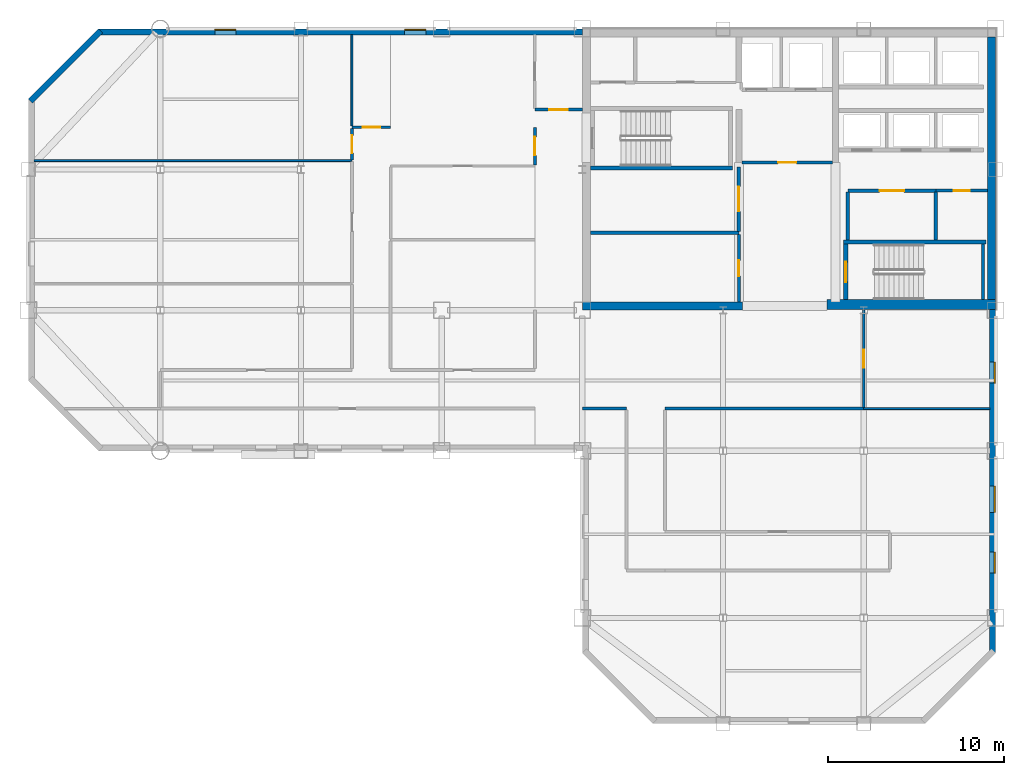
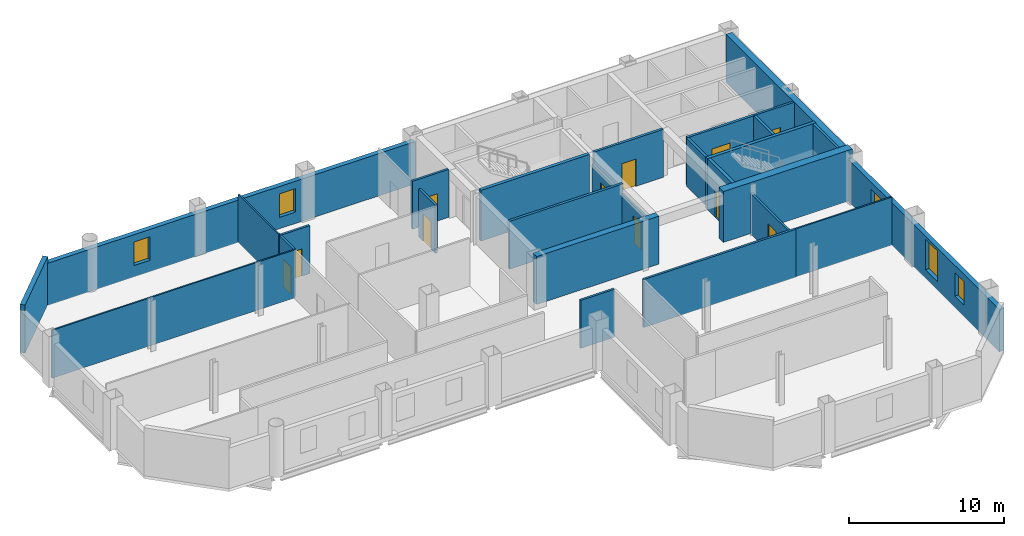
# One storey, part 5 of 10: 28 walls, 11 doors, 5 windows, 16 openings.
"""IFC4 building model written with IfcOpenShell, lengths in metres."""

from ifc_helpers import new_model, si_unit, direction, frame, frame_2d, origin, place, context, subcontext, project, spatial, rectangle, extrude, material, layer, layer_set, type_object, element, fill, save


model = new_model("IFC4")

# Units and contexts
model_context = context("Model", 3, precision=1e-05, world=origin(), true_north=direction((0.0, 1.0)))
body_context = subcontext(model_context, "Body", "Model", "MODEL_VIEW")
ifc_project = project(units=[si_unit("LENGTHUNIT", "METRE"), si_unit("AREAUNIT", "SQUARE_METRE"), si_unit("VOLUMEUNIT", "CUBIC_METRE"), si_unit("PLANEANGLEUNIT", "RADIAN"), si_unit("MASSUNIT", "GRAM", prefix="KILO")], contexts=[model_context])

# Site, building, storey
site_placement = place(None, origin())
site = spatial("IfcSite", under=ifc_project, at=site_placement, CompositionType="ELEMENT")
building_placement = place(site_placement, origin())
building = spatial("IfcBuilding", under=site, at=building_placement, Name="Qianrong Seaharbour Tower", CompositionType="ELEMENT")
storey_placement = place(building_placement, frame((0.0, 0.0, 261.800048828125)))
storey = spatial("IfcBuildingStorey", under=building, at=storey_placement, Name="L63", CompositionType="ELEMENT", Elevation=261.800048828125)

# Walls
ifc_material_1 = material(Name="Concrete C60/75", Category="concrete")
ifc_layer_1 = layer(ifc_material_1, 0.4599609375)
ifc_layer_set_1 = layer_set([ifc_layer_1], Name="Concrete C60/75")
wall_type_1 = type_object("IfcWallType", Name="WALL-CORE-460", PredefinedType="SHEAR", material=ifc_layer_set_1)
wall_1_placement = place(storey_placement, frame((63.77001953125, 36.320068359375, 0.0), z_axis=(0.0, 0.0, 1.0), x_axis=(0.0, 1.0, 0.0)))
element("IfcWall", 1, at=wall_1_placement, inside=storey, type_object=wall_type_1, Name="L63 East Core Shear Wall", PredefinedType="SHEAR", context=body_context, shape_type="SweptSolid", body=[
    extrude(rectangle(XDim=15.219970703125, YDim=0.4599609375, at=frame_2d((7.60986328125, 0.0))), origin(), (0.0, 0.0, 1.0), 3.77490234375),
])
wall_2_placement = place(storey_placement, frame((40.5, 36.22998046875, 0.0), z_axis=(0.0, 0.0, 1.0), x_axis=(1.0, 0.0, 0.0)))
element("IfcWall", 2, at=wall_2_placement, inside=storey, type_object=wall_type_1, Name="L63 South Core Shear Wall S1", PredefinedType="SHEAR", context=body_context, shape_type="SweptSolid", body=[
    extrude(rectangle(XDim=9.10009765625, YDim=0.4599609375, at=frame_2d((4.550048828125, 0.0))), origin(), (0.0, 0.0, 1.0), 3.77490234375),
])
ifc_material_2 = material(Name="Concrete C70/85", Category="concrete")
ifc_layer_2 = layer(ifc_material_2, 0.580078125)
ifc_layer_set_2 = layer_set([ifc_layer_2], Name="Concrete C70/85")
wall_type_2 = type_object("IfcWallType", Name="WALL-CORE-580", PredefinedType="SHEAR", material=ifc_layer_set_2)
wall_3_placement = place(storey_placement, frame((54.39990234375, 36.320068359375, 0.0), z_axis=(0.0, 0.0, 1.0), x_axis=(1.0, 0.0, 0.0)))
element("IfcWall", 3, at=wall_3_placement, inside=storey, type_object=wall_type_2, Name="L63 South Core Shear Wall S3", PredefinedType="SHEAR", context=body_context, shape_type="SweptSolid", body=[
    extrude(rectangle(XDim=9.60009765625, YDim=0.580078125, at=frame_2d((4.800048828125, 0.0))), origin(), (0.0, 0.0, 1.0), 4.0),
])

# Wall, opening, door
ifc_material_3 = material(Name="Fire-rated acoustic gypsum board partition")
ifc_layer_3 = layer(ifc_material_3, 0.1650390625)
ifc_layer_set_3 = layer_set([ifc_layer_3], Name="Fire-rated acoustic gypsum board partition")
wall_type_3 = type_object("IfcWallType", Name="WALL-CORR-PART-165", PredefinedType="PARTITIONING", material=ifc_layer_set_3)
wall_4_placement = place(storey_placement, frame((37.800048828125, 47.39990234375, 0.0), z_axis=(0.0, 0.0, 1.0), x_axis=(1.0, 0.0, 0.0)))
wall_4 = element("IfcWall", 4, at=wall_4_placement, inside=storey, type_object=wall_type_3, Name="L63 Interior Partition Wall 001", PredefinedType="PARTITIONING", context=body_context, shape_type="SweptSolid", body=[
    extrude(rectangle(XDim=2.699951171875, YDim=0.1650390625, at=frame_2d((1.35009765625, 0.0))), origin(), (0.0, 0.0, 1.0), 3.77490234375),
])
opening_1_placement = place(wall_4_placement, frame((0.824951171875, 0.0, 0.0)))
opening_1 = element("IfcOpeningElement", 5, at=opening_1_placement, cuts=wall_4, Name="Opening DC-01", PredefinedType="OPENING", context=body_context, shape_type="SweptSolid", body=[
    extrude(rectangle(XDim=1.050048828125, YDim=2.14990234375, at=frame_2d((0.52490234375, 1.074951171875))), frame((0.0, 0.092529296875, 0.0), z_axis=(0.0, -1.0, 0.0), x_axis=(1.0, 0.0, 0.0)), (0.0, 0.0, 1.0), 0.18505859375),
])
ifc_material_4 = material(Name="Acoustic timber and galvanized steel fire door assembly", Category="steel")
door_type_1 = type_object("IfcDoorType", Name="DOOR-CORR-FD60-1050x2150", OperationType="NOTDEFINED", PredefinedType="DOOR", material=ifc_material_4)
door_1_placement = place(opening_1_placement, origin())
door_1 = element("IfcDoor", 6, at=door_1_placement, inside=storey, type_object=door_type_1, Name="L63 Smokeproof Stair Vestibule ST-1 Door", OperationType="SINGLE_SWING_LEFT", OverallHeight=2.14990234375, OverallWidth=1.050048828125, PredefinedType="DOOR", context=body_context, shape_type="SweptSolid", body=[
    extrude(rectangle(XDim=1.050048828125, YDim=2.14990234375, at=frame_2d((0.52490234375, 1.074951171875))), frame((0.0, 0.02490234375, 0.0), z_axis=(0.0, -1.0, 0.0), x_axis=(1.0, 0.0, 0.0)), (0.0, 0.0, 1.0), 0.050048828125),
])
fill(opening_1, door_1)

wall_5_placement = place(storey_placement, frame((37.800048828125, 44.257080078125, 0.0), z_axis=(0.0, 0.0, 1.0), x_axis=(0.0, 1.0, 0.0)))
wall_5 = element("IfcWall", 7, at=wall_5_placement, inside=storey, type_object=wall_type_3, Name="L63 Interior Partition Wall 002", PredefinedType="PARTITIONING", context=body_context, shape_type="SweptSolid", body=[
    extrude(rectangle(XDim=2.142822265625, YDim=0.1650390625, at=frame_2d((1.0712890625, 0.0))), origin(), (0.0, 0.0, 1.0), 3.77490234375),
])
opening_2_placement = place(wall_5_placement, frame((0.54638671875, 0.0, 0.0)))
opening_2 = element("IfcOpeningElement", 8, at=opening_2_placement, cuts=wall_5, Name="Opening DC-01", PredefinedType="OPENING", context=body_context, shape_type="SweptSolid", body=[
    extrude(rectangle(XDim=1.050048828125, YDim=2.14990234375, at=frame_2d((0.52490234375, 1.074951171875))), frame((0.0, 0.092529296875, 0.0), z_axis=(0.0, -1.0, 0.0), x_axis=(1.0, 0.0, 0.0)), (0.0, 0.0, 1.0), 0.18505859375),
])
door_2_placement = place(opening_2_placement, origin())
door_2 = element("IfcDoor", 9, at=door_2_placement, inside=storey, type_object=door_type_1, Name="L63 Smokeproof Stair Vestibule ST-1 Door", OperationType="SINGLE_SWING_RIGHT", OverallHeight=2.14990234375, OverallWidth=1.050048828125, PredefinedType="DOOR", context=body_context, shape_type="SweptSolid", body=[
    extrude(rectangle(XDim=1.050048828125, YDim=2.14990234375, at=frame_2d((0.52490234375, 1.074951171875))), frame((0.0, 0.02490234375, 0.0), z_axis=(0.0, -1.0, 0.0), x_axis=(1.0, 0.0, 0.0)), (0.0, 0.0, 1.0), 0.050048828125),
])
fill(opening_2, door_2)

wall_6_placement = place(storey_placement, frame((49.39990234375, 36.4599609375, 0.0), z_axis=(0.0, 0.0, 1.0), x_axis=(0.0, 1.0, 0.0)))
wall_6 = element("IfcWall", 10, at=wall_6_placement, inside=storey, type_object=wall_type_3, Name="L63 Interior Partition Wall 007", PredefinedType="PARTITIONING", context=body_context, shape_type="SweptSolid", body=[
    extrude(rectangle(XDim=3.85302734375, YDim=0.1650390625, at=frame_2d((1.926513671875, 0.0))), origin(), (0.0, 0.0, 1.0), 3.016845703125),
])
opening_3_placement = place(wall_6_placement, frame((1.4765625, 0.0, 0.0)))
opening_3 = element("IfcOpeningElement", 11, at=opening_3_placement, cuts=wall_6, Name="Opening DS-01", PredefinedType="OPENING", context=body_context, shape_type="SweptSolid", body=[
    extrude(rectangle(XDim=0.89990234375, YDim=2.14990234375, at=frame_2d((0.449951171875, 1.074951171875))), frame((0.0, 0.092529296875, 0.0), z_axis=(0.0, -1.0, 0.0), x_axis=(1.0, 0.0, 0.0)), (0.0, 0.0, 1.0), 0.18505859375),
])
door_type_2 = type_object("IfcDoorType", Name="DOOR-STORE-900x2150", OperationType="NOTDEFINED", PredefinedType="DOOR", material=ifc_material_4)
door_3_placement = place(opening_3_placement, origin())
door_3 = element("IfcDoor", 12, at=door_3_placement, inside=storey, type_object=door_type_2, Name="L63 Corporate Archive Room Door", OperationType="SINGLE_SWING_LEFT", OverallHeight=2.14990234375, OverallWidth=0.89990234375, PredefinedType="DOOR", context=body_context, shape_type="SweptSolid", body=[
    extrude(rectangle(XDim=0.89990234375, YDim=2.14990234375, at=frame_2d((0.449951171875, 1.074951171875))), frame((0.0, 0.02490234375, 0.0), z_axis=(0.0, -1.0, 0.0), x_axis=(1.0, 0.0, 0.0)), (0.0, 0.0, 1.0), 0.050048828125),
])
fill(opening_3, door_3)

wall_7_placement = place(storey_placement, frame((63.5400390625, 42.800048828125, 0.0), z_axis=(0.0, 0.0, 1.0), x_axis=(-1.0, 0.0, 0.0)))
wall_7 = element("IfcWall", 13, at=wall_7_placement, inside=storey, type_object=wall_type_3, Name="L63 Interior Partition Wall 012", PredefinedType="PARTITIONING", context=body_context, shape_type="SweptSolid", body=[
    extrude(rectangle(XDim=2.93994140625, YDim=0.1650390625, at=frame_2d((1.469970703125, 0.0))), origin(), (0.0, 0.0, 1.0), 3.77490234375),
])
opening_4_placement = place(wall_7_placement, frame((1.02001953125, 0.0, 0.0)))
opening_4 = element("IfcOpeningElement", 14, at=opening_4_placement, cuts=wall_7, Name="Opening DS-01", PredefinedType="OPENING", context=body_context, shape_type="SweptSolid", body=[
    extrude(rectangle(XDim=0.89990234375, YDim=2.14990234375, at=frame_2d((0.449951171875, 1.074951171875))), frame((0.0, 0.092529296875, 0.0), z_axis=(0.0, -1.0, 0.0), x_axis=(1.0, 0.0, 0.0)), (0.0, 0.0, 1.0), 0.18505859375),
])
door_4_placement = place(opening_4_placement, origin())
door_4 = element("IfcDoor", 15, at=door_4_placement, inside=storey, type_object=door_type_2, Name="L63 Housekeeping Linen Store Door", OperationType="SINGLE_SWING_LEFT", OverallHeight=2.14990234375, OverallWidth=0.89990234375, PredefinedType="DOOR", context=body_context, shape_type="SweptSolid", body=[
    extrude(rectangle(XDim=0.89990234375, YDim=2.14990234375, at=frame_2d((0.449951171875, 1.074951171875))), frame((0.0, 0.02490234375, 0.0), z_axis=(0.0, -1.0, 0.0), x_axis=(1.0, 0.0, 0.0)), (0.0, 0.0, 1.0), 0.050048828125),
])
fill(opening_4, door_4)

wall_8_placement = place(storey_placement, frame((27.39990234375, 44.547119140625, 0.0), z_axis=(0.0, 0.0, 1.0), x_axis=(0.0, 1.0, 0.0)))
wall_8 = element("IfcWall", 16, at=wall_8_placement, inside=storey, type_object=wall_type_3, Name="L63 Interior Partition Wall 021", PredefinedType="PARTITIONING", context=body_context, shape_type="SweptSolid", body=[
    extrude(rectangle(XDim=1.7783203125, YDim=0.1650390625, at=frame_2d((0.88916015625, 0.0))), origin(), (0.0, 0.0, 1.0), 3.77490234375),
])
opening_5_placement = place(wall_8_placement, frame((0.38916015625, 0.0, 0.0)))
opening_5 = element("IfcOpeningElement", 17, at=opening_5_placement, cuts=wall_8, Name="Opening DO-01", PredefinedType="OPENING", context=body_context, shape_type="SweptSolid", body=[
    extrude(rectangle(XDim=1.0, YDim=2.14990234375, at=frame_2d((0.5, 1.074951171875))), frame((0.0, 0.092529296875, 0.0), z_axis=(0.0, -1.0, 0.0), x_axis=(1.0, 0.0, 0.0)), (0.0, 0.0, 1.0), 0.18505859375),
])
door_type_3 = type_object("IfcDoorType", Name="DOOR-OFFICE-1000x2150", OperationType="NOTDEFINED", PredefinedType="DOOR", material=ifc_material_4)
door_5_placement = place(opening_5_placement, origin())
door_5 = element("IfcDoor", 18, at=door_5_placement, inside=storey, type_object=door_type_3, Name="L63 Case Coordinator Office 3 Door", OperationType="SINGLE_SWING_RIGHT", OverallHeight=2.14990234375, OverallWidth=1.0, PredefinedType="DOOR", context=body_context, shape_type="SweptSolid", body=[
    extrude(rectangle(XDim=1.0, YDim=2.14990234375, at=frame_2d((0.5, 1.074951171875))), frame((0.0, 0.02490234375, 0.0), z_axis=(0.0, -1.0, 0.0), x_axis=(1.0, 0.0, 0.0)), (0.0, 0.0, 1.0), 0.050048828125),
])
fill(opening_5, door_5)

wall_9_placement = place(storey_placement, frame((27.39990234375, 46.39990234375, 0.0), z_axis=(0.0, 0.0, 1.0), x_axis=(1.0, 0.0, 0.0)))
wall_9 = element("IfcWall", 19, at=wall_9_placement, inside=storey, type_object=wall_type_3, Name="L63 Interior Partition Wall 022", PredefinedType="PARTITIONING", context=body_context, shape_type="SweptSolid", body=[
    extrude(rectangle(XDim=2.2001953125, YDim=0.1650390625, at=frame_2d((1.10009765625, 0.0))), origin(), (0.0, 0.0, 1.0), 3.77490234375),
])
opening_6_placement = place(wall_9_placement, frame((0.60009765625, 0.0, 0.0)))
opening_6 = element("IfcOpeningElement", 20, at=opening_6_placement, cuts=wall_9, Name="Opening DO-01", PredefinedType="OPENING", context=body_context, shape_type="SweptSolid", body=[
    extrude(rectangle(XDim=1.0, YDim=2.14990234375, at=frame_2d((0.5, 1.074951171875))), frame((0.0, 0.092529296875, 0.0), z_axis=(0.0, -1.0, 0.0), x_axis=(1.0, 0.0, 0.0)), (0.0, 0.0, 1.0), 0.18505859375),
])
door_6_placement = place(opening_6_placement, origin())
door_6 = element("IfcDoor", 21, at=door_6_placement, inside=storey, type_object=door_type_3, Name="L63 Wellness Exercise Hall Door", OperationType="SINGLE_SWING_LEFT", OverallHeight=2.14990234375, OverallWidth=1.0, PredefinedType="DOOR", context=body_context, shape_type="SweptSolid", body=[
    extrude(rectangle(XDim=1.0, YDim=2.14990234375, at=frame_2d((0.5, 1.074951171875))), frame((0.0, 0.02490234375, 0.0), z_axis=(0.0, -1.0, 0.0), x_axis=(1.0, 0.0, 0.0)), (0.0, 0.0, 1.0), 0.050048828125),
])
fill(opening_6, door_6)

# Walls
wall_10_placement = place(storey_placement, frame((43.0, 30.39990234375, 0.0), z_axis=(0.0, 0.0, 1.0), x_axis=(-1.0, 0.0, 0.0)))
element("IfcWall", 22, at=wall_10_placement, inside=storey, type_object=wall_type_3, Name="L63 Interior Partition Wall 026", PredefinedType="PARTITIONING", context=body_context, shape_type="SweptSolid", body=[
    extrude(rectangle(XDim=2.5, YDim=0.1650390625, at=frame_2d((1.25, 0.0))), origin(), (0.0, 0.0, 1.0), 3.77490234375),
])
wall_11_placement = place(storey_placement, frame((56.5, 30.39990234375, 0.0), z_axis=(0.0, 0.0, 1.0), x_axis=(-1.0, 0.0, 0.0)))
element("IfcWall", 23, at=wall_11_placement, inside=storey, type_object=wall_type_3, Name="L63 Interior Partition Wall 027", PredefinedType="PARTITIONING", context=body_context, shape_type="SweptSolid", body=[
    extrude(rectangle(XDim=11.300048828125, YDim=0.1650390625, at=frame_2d((5.64990234375, 0.0))), origin(), (0.0, 0.0, 1.0), 3.77490234375),
])

# Wall, opening, door
wall_12_placement = place(storey_placement, frame((56.5, 36.0, 0.0), z_axis=(0.0, 0.0, 1.0), x_axis=(0.0, -1.0, 0.0)))
wall_12 = element("IfcWall", 24, at=wall_12_placement, inside=storey, type_object=wall_type_3, Name="L63 Interior Partition Wall 028", PredefinedType="PARTITIONING", context=body_context, shape_type="SweptSolid", body=[
    extrude(rectangle(XDim=5.525390625, YDim=0.1650390625, at=frame_2d((2.7626953125, 0.0))), origin(), (0.0, 0.0, 1.0), 3.178955078125),
])
opening_7_placement = place(wall_12_placement, frame((2.2626953125, 0.0, 0.0)))
opening_7 = element("IfcOpeningElement", 25, at=opening_7_placement, cuts=wall_12, Name="Opening DO-01", PredefinedType="OPENING", context=body_context, shape_type="SweptSolid", body=[
    extrude(rectangle(XDim=1.0, YDim=2.14990234375, at=frame_2d((0.5, 1.074951171875))), frame((0.0, 0.092529296875, 0.0), z_axis=(0.0, -1.0, 0.0), x_axis=(1.0, 0.0, 0.0)), (0.0, 0.0, 1.0), 0.18505859375),
])
door_7_placement = place(opening_7_placement, origin())
door_7 = element("IfcDoor", 26, at=door_7_placement, inside=storey, type_object=door_type_3, Name="L63 Health Director Office 2 Door", OperationType="SINGLE_SWING_LEFT", OverallHeight=2.14990234375, OverallWidth=1.0, PredefinedType="DOOR", context=body_context, shape_type="SweptSolid", body=[
    extrude(rectangle(XDim=1.0, YDim=2.14990234375, at=frame_2d((0.5, 1.074951171875))), frame((0.0, 0.02490234375, 0.0), z_axis=(0.0, -1.0, 0.0), x_axis=(1.0, 0.0, 0.0)), (0.0, 0.0, 1.0), 0.050048828125),
])
fill(opening_7, door_7)

# Walls
ifc_material_5 = material(Name="Demountable aluminium-framed acoustic office partition", Category="aluminium")
ifc_layer_4 = layer(ifc_material_5, 0.110107421875)
ifc_layer_set_4 = layer_set([ifc_layer_4], Name="Demountable aluminium-framed acoustic office partition")
wall_type_4 = type_object("IfcWallType", Name="WALL-DEMOUNT-110", PredefinedType="MOVABLE", material=ifc_layer_set_4)
wall_13_placement = place(storey_placement, frame((56.5, 30.39990234375, 0.0), z_axis=(0.0, 0.0, 1.0), x_axis=(1.0, 0.0, 0.0)))
element("IfcWall", 27, at=wall_13_placement, inside=storey, type_object=wall_type_4, Name="L63 Interior Partition Wall 036", PredefinedType="MOVABLE", context=body_context, shape_type="SweptSolid", body=[
    extrude(rectangle(XDim=7.16796875, YDim=0.110107421875, at=frame_2d((3.583984375, 0.0))), origin(), (0.0, 0.0, 1.0), 3.77490234375),
])
wall_14_placement = place(storey_placement, frame((9.33203125, 44.5, 0.0), z_axis=(0.0, 0.0, 1.0), x_axis=(1.0, 0.0, 0.0)))
element("IfcWall", 28, at=wall_14_placement, inside=storey, type_object=wall_type_4, Name="L63 Interior Partition Wall 039", PredefinedType="MOVABLE", context=body_context, shape_type="SweptSolid", body=[
    extrude(rectangle(XDim=18.06787109375, YDim=0.110107421875, at=frame_2d((9.033935546875, 0.0))), origin(), (0.0, 0.0, 1.0), 3.77490234375),
])
wall_15_placement = place(storey_placement, frame((27.39990234375, 51.66796875, 0.0), z_axis=(0.0, 0.0, 1.0), x_axis=(0.0, -1.0, 0.0)))
element("IfcWall", 29, at=wall_15_placement, inside=storey, type_object=wall_type_4, Name="L63 Interior Partition Wall 040", PredefinedType="MOVABLE", context=body_context, shape_type="SweptSolid", body=[
    extrude(rectangle(XDim=5.193359375, YDim=0.110107421875, at=frame_2d((2.5966796875, 0.0))), origin(), (0.0, 0.0, 1.0), 3.77490234375),
])
ifc_material_6 = material(Name="Unitised buff brick on Precast concrete C45/55", Category="masonry")
ifc_layer_5 = layer(ifc_material_6, 0.340087890625)
ifc_layer_set_5 = layer_set([ifc_layer_5], Name="Unitised buff brick on Precast concrete C45/55")
wall_type_5 = type_object("IfcWallType", Name="WALL-EXT-BRICK-BUFF-340", PredefinedType="SOLIDWALL", material=ifc_layer_set_5)
wall_16_placement = place(storey_placement, frame((9.1201171875, 47.8798828125, 0.0), z_axis=(0.0, 0.0, 1.0), x_axis=(0.707106781187, 0.707106781187, 0.0)))
element("IfcWall", 30, at=wall_16_placement, inside=storey, type_object=wall_type_5, Name="L63 Exterior Masonry Facade Wall E04", PredefinedType="SOLIDWALL", context=body_context, shape_type="SweptSolid", body=[
    extrude(rectangle(XDim=5.65673828125, YDim=0.340087890625, at=frame_2d((2.828369140625, 0.0))), origin(), (0.0, 0.0, 1.0), 3.77490234375),
])

# Wall, openings, windows
wall_17_placement = place(storey_placement, frame((13.0, 51.830078125, 0.0), z_axis=(0.0, 0.0, 1.0), x_axis=(1.0, 0.0, 0.0)))
wall_17 = element("IfcWall", 31, at=wall_17_placement, inside=storey, type_object=wall_type_5, Name="L63 Exterior Masonry Facade Wall NORTH_WING", PredefinedType="SOLIDWALL", context=body_context, shape_type="SweptSolid", body=[
    extrude(rectangle(XDim=27.52001953125, YDim=0.340087890625, at=frame_2d((13.760009765625, 0.0))), origin(), (0.0, 0.0, 1.0), 3.324951171875),
])
opening_8_placement = place(wall_17_placement, frame((6.60009765625, 0.0, 0.89990234375)))
opening_8 = element("IfcOpeningElement", 32, at=opening_8_placement, cuts=wall_17, Name="Opening WN-01", PredefinedType="OPENING", context=body_context, shape_type="SweptSolid", body=[
    extrude(rectangle(XDim=1.199951171875, YDim=1.85009765625, at=frame_2d((0.60009765625, 0.925048828125))), frame((0.0, 0.18017578125, 0.0), z_axis=(0.0, -1.0, 0.0), x_axis=(1.0, 0.0, 0.0)), (0.0, 0.0, 1.0), 0.360107421875),
])
opening_9_placement = place(wall_17_placement, frame((17.39990234375, 0.0, 0.89990234375)))
opening_9 = element("IfcOpeningElement", 33, at=opening_9_placement, cuts=wall_17, Name="Opening WN-01", PredefinedType="OPENING", context=body_context, shape_type="SweptSolid", body=[
    extrude(rectangle(XDim=1.199951171875, YDim=1.85009765625, at=frame_2d((0.60009765625, 0.925048828125))), frame((0.0, 0.18017578125, 0.0), z_axis=(0.0, -1.0, 0.0), x_axis=(1.0, 0.0, 0.0)), (0.0, 0.0, 1.0), 0.360107421875),
])
ifc_material_7 = material(Name="Insulated low-e double glazing in thermally broken aluminium 6063-T6 frame", Category="aluminium")
window_type_1 = type_object("IfcWindowType", Name="WIN-PUNCH-1200x1850", PartitioningType="DOUBLE_PANEL_VERTICAL", PredefinedType="WINDOW", material=ifc_material_7)
window_1_placement = place(opening_8_placement, origin())
window_1 = element("IfcWindow", 34, at=window_1_placement, inside=storey, type_object=window_type_1, Name="L63 Deep-Set Punched Window 05.02", OverallHeight=1.85009765625, OverallWidth=1.199951171875, PartitioningType="DOUBLE_PANEL_VERTICAL", PredefinedType="WINDOW", context=body_context, shape_type="SweptSolid", body=[
    extrude(rectangle(XDim=1.199951171875, YDim=1.85009765625, at=frame_2d((0.60009765625, 0.925048828125))), frame((0.0, 0.150146484375, 0.0), z_axis=(0.0, -1.0, 0.0), x_axis=(1.0, 0.0, 0.0)), (0.0, 0.0, 1.0), 0.06005859375),
])
fill(opening_8, window_1)
window_2_placement = place(opening_9_placement, origin())
window_2 = element("IfcWindow", 35, at=window_2_placement, inside=storey, type_object=window_type_1, Name="L63 Deep-Set Punched Window 05.05", OverallHeight=1.85009765625, OverallWidth=1.199951171875, PartitioningType="DOUBLE_PANEL_VERTICAL", PredefinedType="WINDOW", context=body_context, shape_type="SweptSolid", body=[
    extrude(rectangle(XDim=1.199951171875, YDim=1.85009765625, at=frame_2d((0.60009765625, 0.925048828125))), frame((0.0, 0.150146484375, 0.0), z_axis=(0.0, -1.0, 0.0), x_axis=(1.0, 0.0, 0.0)), (0.0, 0.0, 1.0), 0.06005859375),
])
fill(opening_9, window_2)

wall_18_placement = place(storey_placement, frame((63.830078125, 36.050048828125, 0.0), z_axis=(0.0, 0.0, 1.0), x_axis=(0.0, -1.0, 0.0)))
wall_18 = element("IfcWall", 36, at=wall_18_placement, inside=storey, type_object=wall_type_5, Name="L63 Exterior Masonry Facade Wall EAST_WING", PredefinedType="SOLIDWALL", context=body_context, shape_type="SweptSolid", body=[
    extrude(rectangle(XDim=19.550048828125, YDim=0.340087890625, at=frame_2d((9.77490234375, 0.0))), origin(), (0.0, 0.0, 1.0), 3.324951171875),
])
opening_10_placement = place(wall_18_placement, frame((3.0, 0.0, 0.89990234375)))
opening_10 = element("IfcOpeningElement", 37, at=opening_10_placement, cuts=wall_18, Name="Opening WN-01", PredefinedType="OPENING", context=body_context, shape_type="SweptSolid", body=[
    extrude(rectangle(XDim=1.199951171875, YDim=1.85009765625, at=frame_2d((0.60009765625, 0.925048828125))), frame((0.0, 0.18017578125, 0.0), z_axis=(0.0, -1.0, 0.0), x_axis=(1.0, 0.0, 0.0)), (0.0, 0.0, 1.0), 0.360107421875),
])
opening_11_placement = place(wall_18_placement, frame((10.050048828125, 0.0, 0.699951171875)))
opening_11 = element("IfcOpeningElement", 38, at=opening_11_placement, cuts=wall_18, Name="Opening WN-08", PredefinedType="OPENING", context=body_context, shape_type="SweptSolid", body=[
    extrude(rectangle(XDim=1.5, YDim=2.39990234375, at=frame_2d((0.75, 1.199951171875))), frame((0.0, 0.18017578125, 0.0), z_axis=(0.0, -1.0, 0.0), x_axis=(1.0, 0.0, 0.0)), (0.0, 0.0, 1.0), 0.360107421875),
])
opening_12_placement = place(wall_18_placement, frame((13.800048828125, 0.0, 0.89990234375)))
opening_12 = element("IfcOpeningElement", 39, at=opening_12_placement, cuts=wall_18, Name="Opening WN-01", PredefinedType="OPENING", context=body_context, shape_type="SweptSolid", body=[
    extrude(rectangle(XDim=1.199951171875, YDim=1.85009765625, at=frame_2d((0.60009765625, 0.925048828125))), frame((0.0, 0.18017578125, 0.0), z_axis=(0.0, -1.0, 0.0), x_axis=(1.0, 0.0, 0.0)), (0.0, 0.0, 1.0), 0.360107421875),
])
window_3_placement = place(opening_10_placement, origin())
window_3 = element("IfcWindow", 40, at=window_3_placement, inside=storey, type_object=window_type_1, Name="L63 Deep-Set Punched Window 06.01", OverallHeight=1.85009765625, OverallWidth=1.199951171875, PartitioningType="DOUBLE_PANEL_VERTICAL", PredefinedType="WINDOW", context=body_context, shape_type="SweptSolid", body=[
    extrude(rectangle(XDim=1.199951171875, YDim=1.85009765625, at=frame_2d((0.60009765625, 0.925048828125))), frame((0.0, 0.150146484375, 0.0), z_axis=(0.0, -1.0, 0.0), x_axis=(1.0, 0.0, 0.0)), (0.0, 0.0, 1.0), 0.06005859375),
])
fill(opening_10, window_3)
window_4_placement = place(opening_12_placement, origin())
window_4 = element("IfcWindow", 41, at=window_4_placement, inside=storey, type_object=window_type_1, Name="L63 Deep-Set Punched Window 06.04", OverallHeight=1.85009765625, OverallWidth=1.199951171875, PartitioningType="DOUBLE_PANEL_VERTICAL", PredefinedType="WINDOW", context=body_context, shape_type="SweptSolid", body=[
    extrude(rectangle(XDim=1.199951171875, YDim=1.85009765625, at=frame_2d((0.60009765625, 0.925048828125))), frame((0.0, 0.150146484375, 0.0), z_axis=(0.0, -1.0, 0.0), x_axis=(1.0, 0.0, 0.0)), (0.0, 0.0, 1.0), 0.06005859375),
])
fill(opening_12, window_4)
window_type_2 = type_object("IfcWindowType", Name="WIN-PUNCH-1500x2400", PartitioningType="DOUBLE_PANEL_HORIZONTAL", PredefinedType="WINDOW", material=ifc_material_7)
window_5_placement = place(opening_11_placement, origin())
window_5 = element("IfcWindow", 42, at=window_5_placement, inside=storey, type_object=window_type_2, Name="L63 Deep-Set Punched Window 06.03", OverallHeight=2.39990234375, OverallWidth=1.5, PartitioningType="DOUBLE_PANEL_HORIZONTAL", PredefinedType="WINDOW", context=body_context, shape_type="SweptSolid", body=[
    extrude(rectangle(XDim=1.5, YDim=2.39990234375, at=frame_2d((0.75, 1.199951171875))), frame((0.0, 0.150146484375, 0.0), z_axis=(0.0, -1.0, 0.0), x_axis=(1.0, 0.0, 0.0)), (0.0, 0.0, 1.0), 0.06005859375),
])
fill(opening_11, window_5)

# Wall, opening, door
ifc_material_8 = material(Name="Double fire-rated gypsum board acoustic partition")
ifc_layer_6 = layer(ifc_material_8, 0.18994140625)
ifc_layer_set_6 = layer_set([ifc_layer_6], Name="Double fire-rated gypsum board acoustic partition")
wall_type_6 = type_object("IfcWallType", Name="WALL-FIRE-PART-190", PredefinedType="PARTITIONING", material=ifc_layer_set_6)
wall_19_placement = place(storey_placement, frame((54.73291015625, 44.39990234375, 0.0), z_axis=(0.0, 0.0, 1.0), x_axis=(-1.0, 0.0, 0.0)))
wall_19 = element("IfcWall", 43, at=wall_19_placement, inside=storey, type_object=wall_type_6, Name="L63 Interior Partition Wall 006", PredefinedType="PARTITIONING", context=body_context, shape_type="SweptSolid", body=[
    extrude(rectangle(XDim=5.166015625, YDim=0.18994140625, at=frame_2d((2.5830078125, 0.0))), origin(), (0.0, 0.0, 1.0), 3.77490234375),
])
opening_13_placement = place(wall_19_placement, frame((2.05810546875, 0.0, 0.0)))
opening_13 = element("IfcOpeningElement", 44, at=opening_13_placement, cuts=wall_19, Name="Opening DC-01", PredefinedType="OPENING", context=body_context, shape_type="SweptSolid", body=[
    extrude(rectangle(XDim=1.050048828125, YDim=2.14990234375, at=frame_2d((0.52490234375, 1.074951171875))), frame((0.0, 0.10498046875, 0.0), z_axis=(0.0, -1.0, 0.0), x_axis=(1.0, 0.0, 0.0)), (0.0, 0.0, 1.0), 0.2099609375),
])
door_8_placement = place(opening_13_placement, origin())
door_8 = element("IfcDoor", 45, at=door_8_placement, inside=storey, type_object=door_type_1, Name="L63 Firefighting Lift Lobby Door", OperationType="SINGLE_SWING_RIGHT", OverallHeight=2.14990234375, OverallWidth=1.050048828125, PredefinedType="DOOR", context=body_context, shape_type="SweptSolid", body=[
    extrude(rectangle(XDim=1.050048828125, YDim=2.14990234375, at=frame_2d((0.52490234375, 1.074951171875))), frame((0.0, 0.02490234375, 0.0), z_axis=(0.0, -1.0, 0.0), x_axis=(1.0, 0.0, 0.0)), (0.0, 0.0, 1.0), 0.050048828125),
])
fill(opening_13, door_8)

wall_20_placement = place(storey_placement, frame((49.39990234375, 40.487060546875, 0.0), z_axis=(0.0, 0.0, 1.0), x_axis=(0.0, 1.0, 0.0)))
wall_20 = element("IfcWall", 46, at=wall_20_placement, inside=storey, type_object=wall_type_6, Name="L63 Interior Partition Wall 008", PredefinedType="PARTITIONING", context=body_context, shape_type="SweptSolid", body=[
    extrude(rectangle(XDim=3.662841796875, YDim=0.18994140625, at=frame_2d((1.83154296875, 0.0))), origin(), (0.0, 0.0, 1.0), 3.016845703125),
])
opening_14_placement = place(wall_20_placement, frame((1.131591796875, 0.0, 0.0)))
opening_14 = element("IfcOpeningElement", 47, at=opening_14_placement, cuts=wall_20, Name="Opening DP-01", PredefinedType="OPENING", context=body_context, shape_type="SweptSolid", body=[
    extrude(rectangle(XDim=1.39990234375, YDim=2.25, at=frame_2d((0.699951171875, 1.125))), frame((0.0, 0.10498046875, 0.0), z_axis=(0.0, -1.0, 0.0), x_axis=(1.0, 0.0, 0.0)), (0.0, 0.0, 1.0), 0.2099609375),
])
door_type_4 = type_object("IfcDoorType", Name="DOOR-PLANT-PAIR-1400x2250", OperationType="DOUBLE_DOOR_SINGLE_SWING", PredefinedType="DOOR", material=ifc_material_4)
door_9_placement = place(opening_14_placement, origin())
door_9 = element("IfcDoor", 48, at=door_9_placement, inside=storey, type_object=door_type_4, Name="L63 Telecom Server Room Door", OperationType="DOUBLE_DOOR_SINGLE_SWING", OverallHeight=2.25, OverallWidth=1.39990234375, PredefinedType="DOOR", context=body_context, shape_type="SweptSolid", body=[
    extrude(rectangle(XDim=1.39990234375, YDim=2.25, at=frame_2d((0.699951171875, 1.125))), frame((0.0, 0.02490234375, 0.0), z_axis=(0.0, -1.0, 0.0), x_axis=(1.0, 0.0, 0.0)), (0.0, 0.0, 1.0), 0.050048828125),
])
fill(opening_14, door_9)

# Walls
wall_21_placement = place(storey_placement, frame((55.60009765625, 42.712890625, 0.0), z_axis=(0.0, 0.0, 1.0), x_axis=(0.0, -1.0, 0.0)))
element("IfcWall", 49, at=wall_21_placement, inside=storey, type_object=wall_type_6, Name="L63 Interior Partition Wall 009", PredefinedType="PARTITIONING", context=body_context, shape_type="SweptSolid", body=[
    extrude(rectangle(XDim=2.73095703125, YDim=0.18994140625, at=frame_2d((1.365478515625, 0.0))), origin(), (0.0, 0.0, 1.0), 3.77490234375),
])
wall_22_placement = place(storey_placement, frame((40.9599609375, 40.39990234375, 0.0), z_axis=(0.0, 0.0, 1.0), x_axis=(1.0, 0.0, 0.0)))
element("IfcWall", 50, at=wall_22_placement, inside=storey, type_object=wall_type_6, Name="L63 Interior Partition Wall 010", PredefinedType="PARTITIONING", context=body_context, shape_type="SweptSolid", body=[
    extrude(rectangle(XDim=8.43994140625, YDim=0.18994140625, at=frame_2d((4.219970703125, 0.0))), origin(), (0.0, 0.0, 1.0), 3.77490234375),
])

# Wall, opening, door
wall_23_placement = place(storey_placement, frame((60.60009765625, 42.800048828125, 0.0), z_axis=(0.0, 0.0, 1.0), x_axis=(-1.0, 0.0, 0.0)))
wall_23 = element("IfcWall", 51, at=wall_23_placement, inside=storey, type_object=wall_type_6, Name="L63 Interior Partition Wall 011", PredefinedType="PARTITIONING", context=body_context, shape_type="SweptSolid", body=[
    extrude(rectangle(XDim=5.0, YDim=0.18994140625, at=frame_2d((2.5, 0.0))), origin(), (0.0, 0.0, 1.0), 3.77490234375),
])
opening_15_placement = place(wall_23_placement, frame((1.800048828125, 0.0, 0.0)))
opening_15 = element("IfcOpeningElement", 52, at=opening_15_placement, cuts=wall_23, Name="Opening DP-01", PredefinedType="OPENING", context=body_context, shape_type="SweptSolid", body=[
    extrude(rectangle(XDim=1.39990234375, YDim=2.25, at=frame_2d((0.699951171875, 1.125))), frame((0.0, 0.10498046875, 0.0), z_axis=(0.0, -1.0, 0.0), x_axis=(1.0, 0.0, 0.0)), (0.0, 0.0, 1.0), 0.2099609375),
])
door_10_placement = place(opening_15_placement, origin())
door_10 = element("IfcDoor", 53, at=door_10_placement, inside=storey, type_object=door_type_4, Name="L63 Submetering Switch Room Door", OperationType="DOUBLE_DOOR_SINGLE_SWING", OverallHeight=2.25, OverallWidth=1.39990234375, PredefinedType="DOOR", context=body_context, shape_type="SweptSolid", body=[
    extrude(rectangle(XDim=1.39990234375, YDim=2.25, at=frame_2d((0.699951171875, 1.125))), frame((0.0, 0.02490234375, 0.0), z_axis=(0.0, -1.0, 0.0), x_axis=(1.0, 0.0, 0.0)), (0.0, 0.0, 1.0), 0.050048828125),
])
fill(opening_15, door_10)

# Walls
wall_24_placement = place(storey_placement, frame((60.60009765625, 42.712890625, 0.0), z_axis=(0.0, 0.0, 1.0), x_axis=(0.0, -1.0, 0.0)))
element("IfcWall", 54, at=wall_24_placement, inside=storey, type_object=wall_type_6, Name="L63 Interior Partition Wall 014", PredefinedType="PARTITIONING", context=body_context, shape_type="SweptSolid", body=[
    extrude(rectangle(XDim=2.73095703125, YDim=0.18994140625, at=frame_2d((1.365478515625, 0.0))), origin(), (0.0, 0.0, 1.0), 3.77490234375),
])
ifc_material_9 = material(Name="Concrete C50/60", Category="concrete")
ifc_layer_7 = layer(ifc_material_9, 0.239990234375)
ifc_layer_set_7 = layer_set([ifc_layer_7], Name="Concrete C50/60")
wall_type_7 = type_object("IfcWallType", Name="WALL-SHAFT-RC240", PredefinedType="SOLIDWALL", material=ifc_layer_set_7)
wall_25_placement = place(storey_placement, frame((49.0400390625, 44.080078125, 0.0), z_axis=(0.0, 0.0, 1.0), x_axis=(-1.0, 0.0, 0.0)))
element("IfcWall", 55, at=wall_25_placement, inside=storey, type_object=wall_type_7, Name="L63 ST-1 Structural Stair Core Wall S", PredefinedType="SOLIDWALL", context=body_context, shape_type="SweptSolid", body=[
    extrude(rectangle(XDim=8.080078125, YDim=0.239990234375, at=frame_2d((4.0400390625, 0.0))), origin(), (0.0, 0.0, 1.0), 4.0),
])
wall_26_placement = place(storey_placement, frame((55.360107421875, 39.8701171875, 0.0), z_axis=(0.0, 0.0, 1.0), x_axis=(1.0, 0.0, 0.0)))
element("IfcWall", 56, at=wall_26_placement, inside=storey, type_object=wall_type_7, Name="L63 ST-2 Structural Stair Core Wall N", PredefinedType="SOLIDWALL", context=body_context, shape_type="SweptSolid", body=[
    extrude(rectangle(XDim=8.079833984375, YDim=0.239990234375, at=frame_2d((4.0400390625, 0.0))), origin(), (0.0, 0.0, 1.0), 4.0),
])

# Wall, opening, door
wall_27_placement = place(storey_placement, frame((55.47998046875, 39.75, 0.0), z_axis=(0.0, 0.0, 1.0), x_axis=(0.0, -1.0, 0.0)))
wall_27 = element("IfcWall", 57, at=wall_27_placement, inside=storey, type_object=wall_type_7, Name="L63 ST-2 Structural Stair Core Wall W", PredefinedType="SOLIDWALL", context=body_context, shape_type="SweptSolid", body=[
    extrude(rectangle(XDim=3.14990234375, YDim=0.239990234375, at=frame_2d((1.574951171875, 0.0))), origin(), (0.0, 0.0, 1.0), 4.0),
])
opening_16_placement = place(wall_27_placement, frame((1.0, 0.0, 0.0)))
opening_16 = element("IfcOpeningElement", 58, at=opening_16_placement, cuts=wall_27, Name="Opening SD-01", PredefinedType="OPENING", context=body_context, shape_type="SweptSolid", body=[
    extrude(rectangle(XDim=1.14990234375, YDim=2.199951171875, at=frame_2d((0.574951171875, 1.10009765625))), frame((0.0, 0.1298828125, 0.0), z_axis=(0.0, -1.0, 0.0), x_axis=(1.0, 0.0, 0.0)), (0.0, 0.0, 1.0), 0.260009765625),
])
door_type_5 = type_object("IfcDoorType", Name="DOOR-STAIR-FD60-1150x2200", OperationType="NOTDEFINED", PredefinedType="DOOR", material=ifc_material_4)
door_11_placement = place(opening_16_placement, origin())
door_11 = element("IfcDoor", 59, at=door_11_placement, inside=storey, type_object=door_type_5, Name="L63 ST-2 Protected Stair Door", OperationType="SINGLE_SWING_RIGHT", OverallHeight=2.199951171875, OverallWidth=1.14990234375, PredefinedType="DOOR", context=body_context, shape_type="SweptSolid", body=[
    extrude(rectangle(XDim=1.14990234375, YDim=2.199951171875, at=frame_2d((0.574951171875, 1.10009765625))), frame((0.0, 0.02490234375, 0.0), z_axis=(0.0, -1.0, 0.0), x_axis=(1.0, 0.0, 0.0)), (0.0, 0.0, 1.0), 0.050048828125),
])
fill(opening_16, door_11)

# Wall
wall_28_placement = place(storey_placement, frame((63.2900390625, 36.60009765625, 0.0), z_axis=(0.0, 0.0, 1.0), x_axis=(0.0, 1.0, 0.0)))
element("IfcWall", 60, at=wall_28_placement, inside=storey, type_object=wall_type_7, Name="L63 ST-2 Structural Stair Core Wall E", PredefinedType="SOLIDWALL", context=body_context, shape_type="SweptSolid", body=[
    extrude(rectangle(XDim=3.14990234375, YDim=0.179931640625, at=frame_2d((1.574951171875, 0.0))), origin(), (0.0, 0.0, 1.0), 4.0),
])

save(model, "model.ifc")
